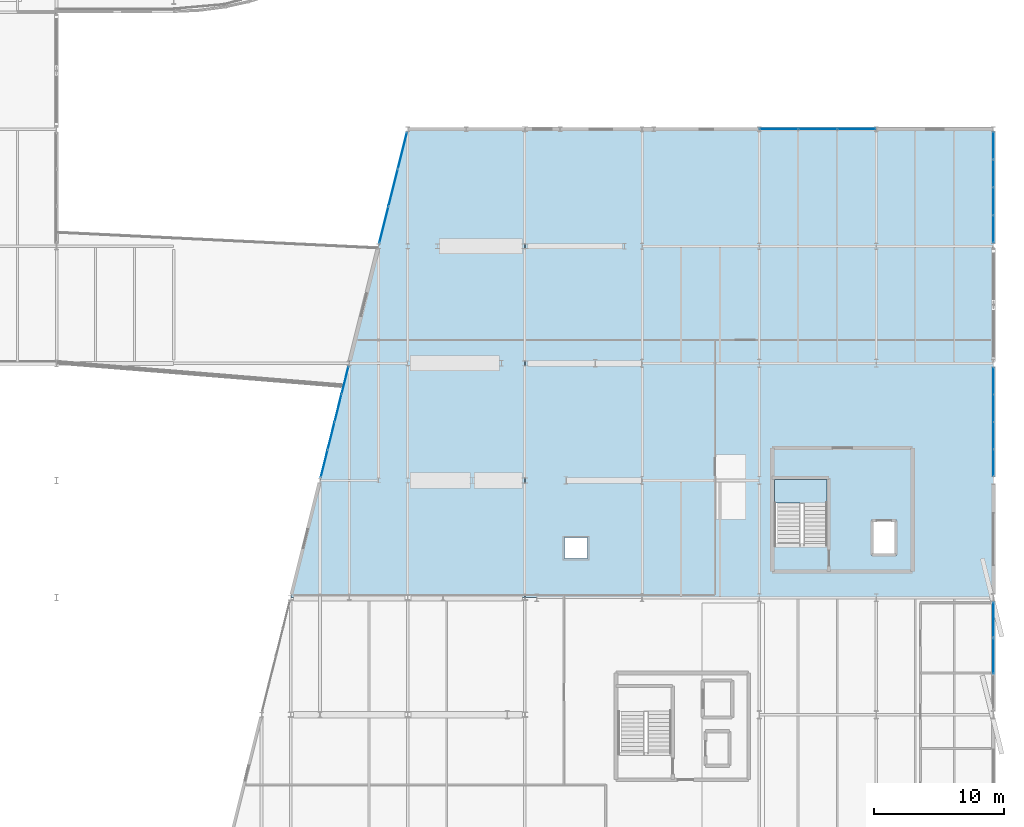
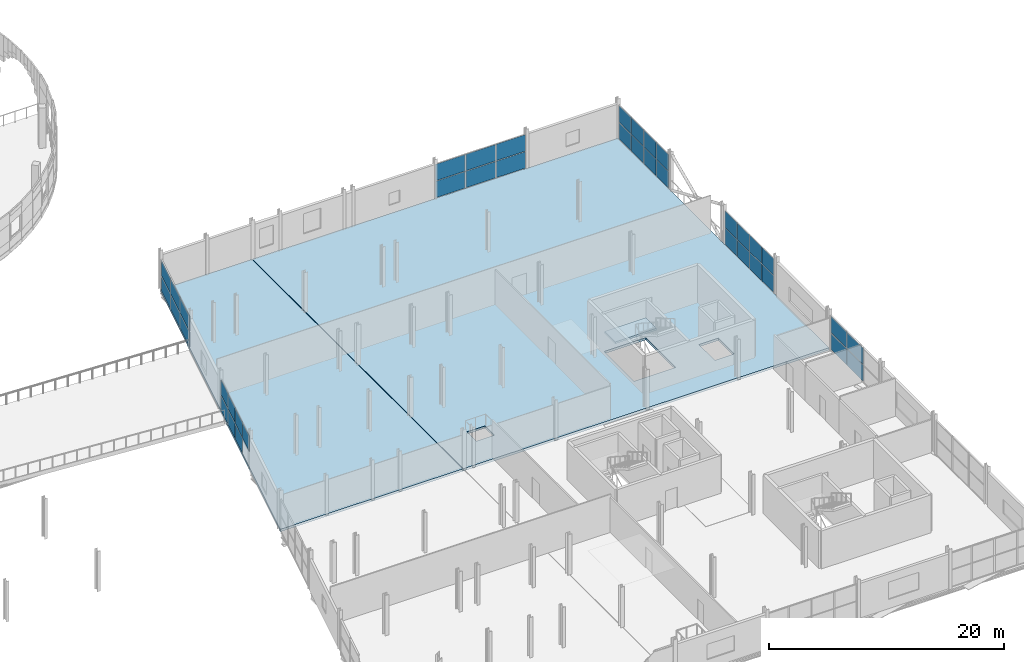
# One storey, part 106 of 135: 39 plates, 3 slabs, 7 elements without a shape of their own.
"""IFC4 building model written with IfcOpenShell, lengths in metres."""

from ifc_helpers import new_model, si_unit, direction, frame, origin, origin_2d, place, context, subcontext, project, spatial, polyline, rectangle, outline, extrude, material, layer, layer_set, type_object, element, aggregate, save


model = new_model("IFC4")

# Units and contexts
model_context = context("Model", 3, precision=1e-05, world=origin(), true_north=direction((0.0, 1.0)))
body_context = subcontext(model_context, "Body", "Model", "MODEL_VIEW")
ifc_project = project(units=[si_unit("LENGTHUNIT", "METRE"), si_unit("AREAUNIT", "SQUARE_METRE"), si_unit("VOLUMEUNIT", "CUBIC_METRE"), si_unit("PLANEANGLEUNIT", "RADIAN"), si_unit("MASSUNIT", "GRAM", prefix="KILO")], contexts=[model_context])

# Site, building, storey
site_placement = place(None, origin())
site = spatial("IfcSite", under=ifc_project, at=site_placement, CompositionType="ELEMENT")
building_placement = place(site_placement, origin())
building = spatial("IfcBuilding", under=site, at=building_placement, Name="Deido Ridge Mobility Hub", CompositionType="ELEMENT")
storey_placement = place(building_placement, frame((0.0, 0.0, 4.199951171875)))
storey = spatial("IfcBuildingStorey", under=building, at=storey_placement, Name="L01", CompositionType="ELEMENT", Elevation=4.199951171875)

# Curtain wall, plates
ifc_material_1 = material(Name="Anodised aluminium EN AW-6063 T6", Category="aluminium")
ifc_layer_1 = layer(ifc_material_1, 0.1650390625, Name="Anodised aluminium EN AW-6063 T6")
ifc_layer_set_1 = layer_set([ifc_layer_1], Name="Anodised aluminium EN AW-6063 T6")
curtain_wall_type_1 = type_object("IfcCurtainWallType", Name="CW-UF-1", PredefinedType="USERDEFINED", material=ifc_layer_set_1)
curtain_wall_1_placement = place(storey_placement, origin())
curtain_wall_1 = element("IfcCurtainWall", 1, at=curtain_wall_1_placement, inside=storey, type_object=curtain_wall_type_1, Name="Unitised curtain wall CW1", ObjectType="UNITISED FACADE", PredefinedType="USERDEFINED")
ifc_material_2 = material(Name="Laminated solar-control low-E glass", Category="glass")
ifc_layer_2 = layer(ifc_material_2, 0.02587890625, Name="Laminated solar-control low-E glass")
ifc_layer_set_2 = layer_set([ifc_layer_2], Name="Laminated solar-control low-E glass")
plate_type_1 = type_object("IfcPlateType", Name="PLT-CWP-26", PredefinedType="CURTAIN_PANEL", material=ifc_layer_set_2)
plate_1_placement = place(storey_placement, frame((180.0, 46.362548828125, 0.050048828125), z_axis=(0.0, 0.0, 1.0), x_axis=(0.0, 1.0, 0.0)))
plate_1 = element("IfcPlate", 2, at=plate_1_placement, type_object=plate_type_1, Name="CW1 panel 1.1", PredefinedType="CURTAIN_PANEL", context=body_context, shape_type="SweptSolid", body=[
    extrude(rectangle(XDim=2.02490234375, YDim=0.02587890625, at=origin_2d()), origin(), (0.0, 0.0, 1.0), 1.72509765625),
])
plate_2_placement = place(storey_placement, frame((180.0, 46.362548828125, 1.824951171875), z_axis=(0.0, 0.0, 1.0), x_axis=(0.0, 1.0, 0.0)))
plate_2 = element("IfcPlate", 3, at=plate_2_placement, type_object=plate_type_1, Name="CW1 panel 1.2", PredefinedType="CURTAIN_PANEL", context=body_context, shape_type="SweptSolid", body=[
    extrude(rectangle(XDim=2.02490234375, YDim=0.02587890625, at=origin_2d()), origin(), (0.0, 0.0, 1.0), 1.72509765625),
])
plate_3_placement = place(storey_placement, frame((180.0, 48.449951171875, 0.050048828125), z_axis=(0.0, 0.0, 1.0), x_axis=(0.0, 1.0, 0.0)))
plate_3 = element("IfcPlate", 4, at=plate_3_placement, type_object=plate_type_1, Name="CW1 panel 2.1", PredefinedType="CURTAIN_PANEL", context=body_context, shape_type="SweptSolid", body=[
    extrude(rectangle(XDim=2.050048828125, YDim=0.02587890625, at=origin_2d()), origin(), (0.0, 0.0, 1.0), 1.72509765625),
])
plate_4_placement = place(storey_placement, frame((180.0, 48.449951171875, 1.824951171875), z_axis=(0.0, 0.0, 1.0), x_axis=(0.0, 1.0, 0.0)))
plate_4 = element("IfcPlate", 5, at=plate_4_placement, type_object=plate_type_1, Name="CW1 panel 2.2", PredefinedType="CURTAIN_PANEL", context=body_context, shape_type="SweptSolid", body=[
    extrude(rectangle(XDim=2.050048828125, YDim=0.02587890625, at=origin_2d()), origin(), (0.0, 0.0, 1.0), 1.72509765625),
])
plate_5_placement = place(storey_placement, frame((180.0, 50.550048828125, 0.050048828125), z_axis=(0.0, 0.0, 1.0), x_axis=(0.0, 1.0, 0.0)))
plate_5 = element("IfcPlate", 6, at=plate_5_placement, type_object=plate_type_1, Name="CW1 panel 3.1", PredefinedType="CURTAIN_PANEL", context=body_context, shape_type="SweptSolid", body=[
    extrude(rectangle(XDim=2.050048828125, YDim=0.02587890625, at=origin_2d()), origin(), (0.0, 0.0, 1.0), 1.72509765625),
])
plate_6_placement = place(storey_placement, frame((180.0, 50.550048828125, 1.824951171875), z_axis=(0.0, 0.0, 1.0), x_axis=(0.0, 1.0, 0.0)))
plate_6 = element("IfcPlate", 7, at=plate_6_placement, type_object=plate_type_1, Name="CW1 panel 3.2", PredefinedType="CURTAIN_PANEL", context=body_context, shape_type="SweptSolid", body=[
    extrude(rectangle(XDim=2.050048828125, YDim=0.02587890625, at=origin_2d()), origin(), (0.0, 0.0, 1.0), 1.72509765625),
])
plate_7_placement = place(storey_placement, frame((180.0, 52.637451171875, 0.050048828125), z_axis=(0.0, 0.0, 1.0), x_axis=(0.0, 1.0, 0.0)))
plate_7 = element("IfcPlate", 8, at=plate_7_placement, type_object=plate_type_1, Name="CW1 panel 4.1", PredefinedType="CURTAIN_PANEL", context=body_context, shape_type="SweptSolid", body=[
    extrude(rectangle(XDim=2.02490234375, YDim=0.02587890625, at=origin_2d()), origin(), (0.0, 0.0, 1.0), 1.72509765625),
])
plate_8_placement = place(storey_placement, frame((180.0, 52.637451171875, 1.824951171875), z_axis=(0.0, 0.0, 1.0), x_axis=(0.0, 1.0, 0.0)))
plate_8 = element("IfcPlate", 9, at=plate_8_placement, type_object=plate_type_1, Name="CW1 panel 4.2", PredefinedType="CURTAIN_PANEL", context=body_context, shape_type="SweptSolid", body=[
    extrude(rectangle(XDim=2.02490234375, YDim=0.02587890625, at=origin_2d()), origin(), (0.0, 0.0, 1.0), 1.72509765625),
])
aggregate(curtain_wall_1, [plate_1, plate_2, plate_3, plate_4, plate_5, plate_6, plate_7, plate_8])

ifc_layer_3 = layer(ifc_material_1, 0.195068359375, Name="Anodised aluminium EN AW-6063 T6")
ifc_layer_set_3 = layer_set([ifc_layer_3], Name="Anodised aluminium EN AW-6063 T6")
curtain_wall_type_2 = type_object("IfcCurtainWallType", Name="CW-UF-3", PredefinedType="USERDEFINED", material=ifc_layer_set_3)
curtain_wall_2_placement = place(storey_placement, origin())
curtain_wall_2 = element("IfcCurtainWall", 10, at=curtain_wall_2_placement, inside=storey, type_object=curtain_wall_type_2, Name="Unitised curtain wall CW3", ObjectType="UNITISED FACADE", PredefinedType="USERDEFINED")
ifc_layer_4 = layer(ifc_material_2, 0.031005859375, Name="Laminated solar-control low-E glass")
ifc_layer_set_4 = layer_set([ifc_layer_4], Name="Laminated solar-control low-E glass")
plate_type_2 = type_object("IfcPlateType", Name="PLT-CWP-31", PredefinedType="CURTAIN_PANEL", material=ifc_layer_set_4)
plate_9_placement = place(storey_placement, frame((180.0, 64.314453125, 0.06005859375), z_axis=(0.0, 0.0, 1.0), x_axis=(0.0, 1.0, 0.0)))
plate_9 = element("IfcPlate", 11, at=plate_9_placement, type_object=plate_type_2, Name="CW3 panel 1.1", PredefinedType="CURTAIN_PANEL", context=body_context, shape_type="SweptSolid", body=[
    extrude(rectangle(XDim=2.058837890625, YDim=0.031005859375, at=origin_2d()), origin(), (0.0, 0.0, 1.0), 1.7099609375),
])
plate_10_placement = place(storey_placement, frame((180.0, 64.314453125, 1.830078125), z_axis=(0.0, 0.0, 1.0), x_axis=(0.0, 1.0, 0.0)))
plate_10 = element("IfcPlate", 12, at=plate_10_placement, type_object=plate_type_2, Name="CW3 panel 1.2", PredefinedType="CURTAIN_PANEL", context=body_context, shape_type="SweptSolid", body=[
    extrude(rectangle(XDim=2.058837890625, YDim=0.031005859375, at=origin_2d()), origin(), (0.0, 0.0, 1.0), 1.7099609375),
])
plate_11_placement = place(storey_placement, frame((180.0, 66.4482421875, 0.06005859375), z_axis=(0.0, 0.0, 1.0), x_axis=(0.0, 1.0, 0.0)))
plate_11 = element("IfcPlate", 13, at=plate_11_placement, type_object=plate_type_2, Name="CW3 panel 2.1", PredefinedType="CURTAIN_PANEL", context=body_context, shape_type="SweptSolid", body=[
    extrude(rectangle(XDim=2.0888671875, YDim=0.031005859375, at=origin_2d()), origin(), (0.0, 0.0, 1.0), 1.7099609375),
])
plate_12_placement = place(storey_placement, frame((180.0, 66.4482421875, 1.830078125), z_axis=(0.0, 0.0, 1.0), x_axis=(0.0, 1.0, 0.0)))
plate_12 = element("IfcPlate", 14, at=plate_12_placement, type_object=plate_type_2, Name="CW3 panel 2.2", PredefinedType="CURTAIN_PANEL", context=body_context, shape_type="SweptSolid", body=[
    extrude(rectangle(XDim=2.0888671875, YDim=0.031005859375, at=origin_2d()), origin(), (0.0, 0.0, 1.0), 1.7099609375),
])
plate_13_placement = place(storey_placement, frame((180.0, 68.596923828125, 0.06005859375), z_axis=(0.0, 0.0, 1.0), x_axis=(0.0, 1.0, 0.0)))
plate_13 = element("IfcPlate", 15, at=plate_13_placement, type_object=plate_type_2, Name="CW3 panel 3.1", PredefinedType="CURTAIN_PANEL", context=body_context, shape_type="SweptSolid", body=[
    extrude(rectangle(XDim=2.0888671875, YDim=0.031005859375, at=origin_2d()), origin(), (0.0, 0.0, 1.0), 1.7099609375),
])
plate_14_placement = place(storey_placement, frame((180.0, 68.596923828125, 1.830078125), z_axis=(0.0, 0.0, 1.0), x_axis=(0.0, 1.0, 0.0)))
plate_14 = element("IfcPlate", 16, at=plate_14_placement, type_object=plate_type_2, Name="CW3 panel 3.2", PredefinedType="CURTAIN_PANEL", context=body_context, shape_type="SweptSolid", body=[
    extrude(rectangle(XDim=2.0888671875, YDim=0.031005859375, at=origin_2d()), origin(), (0.0, 0.0, 1.0), 1.7099609375),
])
plate_15_placement = place(storey_placement, frame((180.0, 70.730712890625, 0.06005859375), z_axis=(0.0, 0.0, 1.0), x_axis=(0.0, 1.0, 0.0)))
plate_15 = element("IfcPlate", 17, at=plate_15_placement, type_object=plate_type_2, Name="CW3 panel 4.1", PredefinedType="CURTAIN_PANEL", context=body_context, shape_type="SweptSolid", body=[
    extrude(rectangle(XDim=2.058837890625, YDim=0.031005859375, at=origin_2d()), origin(), (0.0, 0.0, 1.0), 1.7099609375),
])
plate_16_placement = place(storey_placement, frame((180.0, 70.730712890625, 1.830078125), z_axis=(0.0, 0.0, 1.0), x_axis=(0.0, 1.0, 0.0)))
plate_16 = element("IfcPlate", 18, at=plate_16_placement, type_object=plate_type_2, Name="CW3 panel 4.2", PredefinedType="CURTAIN_PANEL", context=body_context, shape_type="SweptSolid", body=[
    extrude(rectangle(XDim=2.058837890625, YDim=0.031005859375, at=origin_2d()), origin(), (0.0, 0.0, 1.0), 1.7099609375),
])
aggregate(curtain_wall_2, [plate_9, plate_10, plate_11, plate_12, plate_13, plate_14, plate_15, plate_16])

ifc_layer_5 = layer(ifc_material_1, 0.16796875, Name="Anodised aluminium EN AW-6063 T6")
ifc_layer_set_5 = layer_set([ifc_layer_5], Name="Anodised aluminium EN AW-6063 T6")
curtain_wall_type_3 = type_object("IfcCurtainWallType", Name="CW-GS-4", PredefinedType="USERDEFINED", material=ifc_layer_set_5)
curtain_wall_3_placement = place(storey_placement, origin())
curtain_wall_3 = element("IfcCurtainWall", 19, at=curtain_wall_3_placement, inside=storey, type_object=curtain_wall_type_3, Name="Unitised curtain wall GS4", ObjectType="GLAZED SCREEN", PredefinedType="USERDEFINED")
plate_17_placement = place(storey_placement, frame((163.51904296875, 72.0, 0.06005859375), z_axis=(0.0, 0.0, 1.0), x_axis=(1.0, 0.0, 0.0)))
plate_17 = element("IfcPlate", 20, at=plate_17_placement, type_object=plate_type_2, Name="GS4 panel 1.1", PredefinedType="CURTAIN_PANEL", context=body_context, shape_type="SweptSolid", body=[
    extrude(rectangle(XDim=2.90576171875, YDim=0.031005859375, at=origin_2d()), origin(), (0.0, 0.0, 1.0), 1.7099609375),
])
plate_18_placement = place(storey_placement, frame((163.51904296875, 72.0, 1.830078125), z_axis=(0.0, 0.0, 1.0), x_axis=(1.0, 0.0, 0.0)))
plate_18 = element("IfcPlate", 21, at=plate_18_placement, type_object=plate_type_2, Name="GS4 panel 1.2", PredefinedType="CURTAIN_PANEL", context=body_context, shape_type="SweptSolid", body=[
    extrude(rectangle(XDim=2.90576171875, YDim=0.031005859375, at=origin_2d()), origin(), (0.0, 0.0, 1.0), 1.7099609375),
])
plate_19_placement = place(storey_placement, frame((166.5, 72.0, 0.06005859375), z_axis=(0.0, 0.0, 1.0), x_axis=(1.0, 0.0, 0.0)))
plate_19 = element("IfcPlate", 22, at=plate_19_placement, type_object=plate_type_2, Name="GS4 panel 2.1", PredefinedType="CURTAIN_PANEL", context=body_context, shape_type="SweptSolid", body=[
    extrude(rectangle(XDim=2.935791015625, YDim=0.031005859375, at=origin_2d()), origin(), (0.0, 0.0, 1.0), 1.7099609375),
])
plate_20_placement = place(storey_placement, frame((166.5, 72.0, 1.830078125), z_axis=(0.0, 0.0, 1.0), x_axis=(1.0, 0.0, 0.0)))
plate_20 = element("IfcPlate", 23, at=plate_20_placement, type_object=plate_type_2, Name="GS4 panel 2.2", PredefinedType="CURTAIN_PANEL", context=body_context, shape_type="SweptSolid", body=[
    extrude(rectangle(XDim=2.935791015625, YDim=0.031005859375, at=origin_2d()), origin(), (0.0, 0.0, 1.0), 1.7099609375),
])
plate_21_placement = place(storey_placement, frame((169.48095703125, 72.0, 0.06005859375), z_axis=(0.0, 0.0, 1.0), x_axis=(1.0, 0.0, 0.0)))
plate_21 = element("IfcPlate", 24, at=plate_21_placement, type_object=plate_type_2, Name="GS4 panel 3.1", PredefinedType="CURTAIN_PANEL", context=body_context, shape_type="SweptSolid", body=[
    extrude(rectangle(XDim=2.90576171875, YDim=0.031005859375, at=origin_2d()), origin(), (0.0, 0.0, 1.0), 1.7099609375),
])
plate_22_placement = place(storey_placement, frame((169.48095703125, 72.0, 1.830078125), z_axis=(0.0, 0.0, 1.0), x_axis=(1.0, 0.0, 0.0)))
plate_22 = element("IfcPlate", 25, at=plate_22_placement, type_object=plate_type_2, Name="GS4 panel 3.2", PredefinedType="CURTAIN_PANEL", context=body_context, shape_type="SweptSolid", body=[
    extrude(rectangle(XDim=2.90576171875, YDim=0.031005859375, at=origin_2d()), origin(), (0.0, 0.0, 1.0), 1.7099609375),
])
aggregate(curtain_wall_3, [plate_17, plate_18, plate_19, plate_20, plate_21, plate_22])

ifc_layer_6 = layer(ifc_material_1, 0.2099609375, Name="Anodised aluminium EN AW-6063 T6")
ifc_layer_set_6 = layer_set([ifc_layer_6], Name="Anodised aluminium EN AW-6063 T6")
curtain_wall_type_4 = type_object("IfcCurtainWallType", Name="CW-UF-4", PredefinedType="USERDEFINED", material=ifc_layer_set_6)
curtain_wall_4_placement = place(storey_placement, origin())
curtain_wall_4 = element("IfcCurtainWall", 26, at=curtain_wall_4_placement, inside=storey, type_object=curtain_wall_type_4, Name="Unitised curtain wall CW4", ObjectType="UNITISED FACADE", PredefinedType="USERDEFINED")
plate_23_placement = place(storey_placement, frame((128.5732421875, 46.29296875, 1.68994140625), z_axis=(0.0, 0.0, 1.0), x_axis=(0.242530310632, 0.970143828731, 0.0)))
plate_23 = element("IfcPlate", 27, at=plate_23_placement, type_object=plate_type_2, Name="CW4 panel 1.2", PredefinedType="CURTAIN_PANEL", context=body_context, shape_type="SweptSolid", body=[
    extrude(rectangle(XDim=2.123779296875, YDim=0.031005859375, at=origin_2d()), origin(), (0.0, 0.0, 1.0), 1.570068359375),
])
plate_24_placement = place(storey_placement, frame((129.1064453125, 48.42626953125, 0.06005859375), z_axis=(0.0, 0.0, 1.0), x_axis=(0.242530310632, 0.970143828731, 0.0)))
plate_24 = element("IfcPlate", 28, at=plate_24_placement, type_object=plate_type_2, Name="CW4 panel 2.1", PredefinedType="CURTAIN_PANEL", context=body_context, shape_type="SweptSolid", body=[
    extrude(rectangle(XDim=2.15380859375, YDim=0.031005859375, at=origin_2d()), origin(), (0.0, 0.0, 1.0), 1.570068359375),
])
plate_25_placement = place(storey_placement, frame((129.1064453125, 48.42626953125, 1.68994140625), z_axis=(0.0, 0.0, 1.0), x_axis=(0.242530310632, 0.970143828731, 0.0)))
plate_25 = element("IfcPlate", 29, at=plate_25_placement, type_object=plate_type_2, Name="CW4 panel 2.2", PredefinedType="CURTAIN_PANEL", context=body_context, shape_type="SweptSolid", body=[
    extrude(rectangle(XDim=2.15380859375, YDim=0.031005859375, at=origin_2d()), origin(), (0.0, 0.0, 1.0), 1.570068359375),
])
plate_26_placement = place(storey_placement, frame((129.6435546875, 50.57373046875, 0.06005859375), z_axis=(0.0, 0.0, 1.0), x_axis=(0.242530310632, 0.970143828731, 0.0)))
plate_26 = element("IfcPlate", 30, at=plate_26_placement, type_object=plate_type_2, Name="CW4 panel 3.1", PredefinedType="CURTAIN_PANEL", context=body_context, shape_type="SweptSolid", body=[
    extrude(rectangle(XDim=2.15380859375, YDim=0.031005859375, at=origin_2d()), origin(), (0.0, 0.0, 1.0), 1.570068359375),
])
plate_27_placement = place(storey_placement, frame((129.6435546875, 50.57373046875, 1.68994140625), z_axis=(0.0, 0.0, 1.0), x_axis=(0.242530310632, 0.970143828731, 0.0)))
plate_27 = element("IfcPlate", 31, at=plate_27_placement, type_object=plate_type_2, Name="CW4 panel 3.2", PredefinedType="CURTAIN_PANEL", context=body_context, shape_type="SweptSolid", body=[
    extrude(rectangle(XDim=2.15380859375, YDim=0.031005859375, at=origin_2d()), origin(), (0.0, 0.0, 1.0), 1.570068359375),
])
plate_28_placement = place(storey_placement, frame((130.1767578125, 52.70703125, 0.06005859375), z_axis=(0.0, 0.0, 1.0), x_axis=(0.242530310632, 0.970143828731, 0.0)))
plate_28 = element("IfcPlate", 32, at=plate_28_placement, type_object=plate_type_2, Name="CW4 panel 4.1", PredefinedType="CURTAIN_PANEL", context=body_context, shape_type="SweptSolid", body=[
    extrude(rectangle(XDim=2.123779296875, YDim=0.031005859375, at=origin_2d()), origin(), (0.0, 0.0, 1.0), 1.570068359375),
])
plate_29_placement = place(storey_placement, frame((130.1767578125, 52.70703125, 1.68994140625), z_axis=(0.0, 0.0, 1.0), x_axis=(0.242530310632, 0.970143828731, 0.0)))
plate_29 = element("IfcPlate", 33, at=plate_29_placement, type_object=plate_type_2, Name="CW4 panel 4.2", PredefinedType="CURTAIN_PANEL", context=body_context, shape_type="SweptSolid", body=[
    extrude(rectangle(XDim=2.123779296875, YDim=0.031005859375, at=origin_2d()), origin(), (0.0, 0.0, 1.0), 1.570068359375),
])
aggregate(curtain_wall_4, [plate_23, plate_24, plate_25, plate_26, plate_27, plate_28, plate_29])

ifc_layer_7 = layer(ifc_material_1, 0.239990234375, Name="Anodised aluminium EN AW-6063 T6")
ifc_layer_set_7 = layer_set([ifc_layer_7], Name="Anodised aluminium EN AW-6063 T6")
curtain_wall_type_5 = type_object("IfcCurtainWallType", Name="CW-UF-6", PredefinedType="USERDEFINED", material=ifc_layer_set_7)
curtain_wall_5_placement = place(storey_placement, origin())
curtain_wall_5 = element("IfcCurtainWall", 34, at=curtain_wall_5_placement, inside=storey, type_object=curtain_wall_type_5, Name="Unitised curtain wall CW6", ObjectType="UNITISED FACADE", PredefinedType="USERDEFINED")
ifc_layer_8 = layer(ifc_material_2, 0.034912109375, Name="Laminated solar-control low-E glass")
ifc_layer_set_8 = layer_set([ifc_layer_8], Name="Laminated solar-control low-E glass")
plate_type_3 = type_object("IfcPlateType", Name="PLT-CWP-35", PredefinedType="CURTAIN_PANEL", material=ifc_layer_set_8)
plate_30_placement = place(storey_placement, frame((133.163330078125, 64.653564453125, 0.0703125), z_axis=(0.0, 0.0, 1.0), x_axis=(0.242530310632, 0.970143828731, 0.0)))
plate_30 = element("IfcPlate", 35, at=plate_30_placement, type_object=plate_type_3, Name="CW6 panel 1.1", PredefinedType="CURTAIN_PANEL", context=body_context, shape_type="SweptSolid", body=[
    extrude(rectangle(XDim=2.8466796875, YDim=0.034912109375, at=origin_2d()), origin(), (0.0, 0.0, 1.0), 1.554931640625),
])
plate_31_placement = place(storey_placement, frame((133.163330078125, 64.653564453125, 1.6953125), z_axis=(0.0, 0.0, 1.0), x_axis=(0.242530310632, 0.970143828731, 0.0)))
plate_31 = element("IfcPlate", 36, at=plate_31_placement, type_object=plate_type_3, Name="CW6 panel 1.2", PredefinedType="CURTAIN_PANEL", context=body_context, shape_type="SweptSolid", body=[
    extrude(rectangle(XDim=2.8466796875, YDim=0.034912109375, at=origin_2d()), origin(), (0.0, 0.0, 1.0), 1.554931640625),
])
plate_32_placement = place(storey_placement, frame((133.875, 67.5, 0.0703125), z_axis=(0.0, 0.0, 1.0), x_axis=(0.242530310632, 0.970143828731, 0.0)))
plate_32 = element("IfcPlate", 37, at=plate_32_placement, type_object=plate_type_3, Name="CW6 panel 2.1", PredefinedType="CURTAIN_PANEL", context=body_context, shape_type="SweptSolid", body=[
    extrude(rectangle(XDim=2.881591796875, YDim=0.034912109375, at=origin_2d()), origin(), (0.0, 0.0, 1.0), 1.554931640625),
])
plate_33_placement = place(storey_placement, frame((133.875, 67.5, 1.6953125), z_axis=(0.0, 0.0, 1.0), x_axis=(0.242530310632, 0.970143828731, 0.0)))
plate_33 = element("IfcPlate", 38, at=plate_33_placement, type_object=plate_type_3, Name="CW6 panel 2.2", PredefinedType="CURTAIN_PANEL", context=body_context, shape_type="SweptSolid", body=[
    extrude(rectangle(XDim=2.881591796875, YDim=0.034912109375, at=origin_2d()), origin(), (0.0, 0.0, 1.0), 1.554931640625),
])
plate_34_placement = place(storey_placement, frame((134.586669921875, 70.346435546875, 0.0703125), z_axis=(0.0, 0.0, 1.0), x_axis=(0.242530310632, 0.970143828731, 0.0)))
plate_34 = element("IfcPlate", 39, at=plate_34_placement, type_object=plate_type_3, Name="CW6 panel 3.1", PredefinedType="CURTAIN_PANEL", context=body_context, shape_type="SweptSolid", body=[
    extrude(rectangle(XDim=2.8466796875, YDim=0.034912109375, at=origin_2d()), origin(), (0.0, 0.0, 1.0), 1.554931640625),
])
plate_35_placement = place(storey_placement, frame((134.586669921875, 70.346435546875, 1.6953125), z_axis=(0.0, 0.0, 1.0), x_axis=(0.242530310632, 0.970143828731, 0.0)))
plate_35 = element("IfcPlate", 40, at=plate_35_placement, type_object=plate_type_3, Name="CW6 panel 3.2", PredefinedType="CURTAIN_PANEL", context=body_context, shape_type="SweptSolid", body=[
    extrude(rectangle(XDim=2.8466796875, YDim=0.034912109375, at=origin_2d()), origin(), (0.0, 0.0, 1.0), 1.554931640625),
])
aggregate(curtain_wall_5, [plate_30, plate_31, plate_32, plate_33, plate_34, plate_35])

ifc_layer_9 = layer(ifc_material_1, 0.2548828125, Name="Anodised aluminium EN AW-6063 T6")
ifc_layer_set_9 = layer_set([ifc_layer_9], Name="Anodised aluminium EN AW-6063 T6")
curtain_wall_type_6 = type_object("IfcCurtainWallType", Name="CW-UF-7", PredefinedType="USERDEFINED", material=ifc_layer_set_9)
curtain_wall_6_placement = place(storey_placement, origin())
curtain_wall_6 = element("IfcCurtainWall", 41, at=curtain_wall_6_placement, inside=storey, type_object=curtain_wall_type_6, Name="Unitised curtain wall CW7", ObjectType="UNITISED FACADE", PredefinedType="USERDEFINED")
ifc_layer_10 = layer(ifc_material_2, 0.0390625, Name="Laminated solar-control low-E glass")
ifc_layer_set_10 = layer_set([ifc_layer_10], Name="Laminated solar-control low-E glass")
plate_type_4 = type_object("IfcPlateType", Name="PLT-CWP-39", PredefinedType="CURTAIN_PANEL", material=ifc_layer_set_10)
plate_36_placement = place(storey_placement, frame((180.0, 31.5, 0.080078125), z_axis=(0.0, 0.0, 1.0), x_axis=(0.0, 1.0, 0.0)))
plate_36 = element("IfcPlate", 42, at=plate_36_placement, type_object=plate_type_4, Name="CW7 panel 2.1", PredefinedType="CURTAIN_PANEL", context=body_context, shape_type="SweptSolid", body=[
    extrude(rectangle(XDim=2.719970703125, YDim=0.0390625, at=origin_2d()), origin(), (0.0, 0.0, 1.0), 1.679931640625),
])
plate_37_placement = place(storey_placement, frame((180.0, 31.5, 1.83984375), z_axis=(0.0, 0.0, 1.0), x_axis=(0.0, 1.0, 0.0)))
plate_37 = element("IfcPlate", 43, at=plate_37_placement, type_object=plate_type_4, Name="CW7 panel 2.2", PredefinedType="CURTAIN_PANEL", context=body_context, shape_type="SweptSolid", body=[
    extrude(rectangle(XDim=2.719970703125, YDim=0.0390625, at=origin_2d()), origin(), (0.0, 0.0, 1.0), 1.679931640625),
])
plate_38_placement = place(storey_placement, frame((180.0, 34.280029296875, 0.080078125), z_axis=(0.0, 0.0, 1.0), x_axis=(0.0, 1.0, 0.0)))
plate_38 = element("IfcPlate", 44, at=plate_38_placement, type_object=plate_type_4, Name="CW7 panel 3.1", PredefinedType="CURTAIN_PANEL", context=body_context, shape_type="SweptSolid", body=[
    extrude(rectangle(XDim=2.679931640625, YDim=0.0390625, at=origin_2d()), origin(), (0.0, 0.0, 1.0), 1.679931640625),
])
plate_39_placement = place(storey_placement, frame((180.0, 34.280029296875, 1.83984375), z_axis=(0.0, 0.0, 1.0), x_axis=(0.0, 1.0, 0.0)))
plate_39 = element("IfcPlate", 45, at=plate_39_placement, type_object=plate_type_4, Name="CW7 panel 3.2", PredefinedType="CURTAIN_PANEL", context=body_context, shape_type="SweptSolid", body=[
    extrude(rectangle(XDim=2.679931640625, YDim=0.0390625, at=origin_2d()), origin(), (0.0, 0.0, 1.0), 1.679931640625),
])
aggregate(curtain_wall_6, [plate_36, plate_37, plate_38, plate_39])

# Slabs
ifc_material_3 = material(Name="Concrete C35/45", Category="concrete")
ifc_layer_11 = layer(ifc_material_3, 0.25, Name="Concrete C35/45")
ifc_layer_set_11 = layer_set([ifc_layer_11], Name="Concrete C35/45")
slab_type_1 = type_object("IfcSlabType", Name="SLB-FLR-250", PredefinedType="FLOOR", material=ifc_layer_set_11)
slab_1_placement = place(storey_placement, frame((0.0, 0.0, -0.25)))
element("IfcSlab", 46, at=slab_1_placement, inside=storey, type_object=slab_type_1, Name="L01 V6 structural deck 33", PredefinedType="FLOOR", context=body_context, shape_type="SweptSolid", body=[
    extrude(outline(polyline([(143.97509765625, 72.0), (143.97509765625, 36.0), (126.0, 36.0), (135.0, 72.0), (143.97509765625, 72.0)])), origin(), (0.0, 0.0, 1.0), 0.25),
])
slab_2_placement = place(storey_placement, frame((0.0, 0.0, -0.25)))
element("IfcSlab", 47, at=slab_2_placement, inside=storey, type_object=slab_type_1, Name="L01 V6 structural deck 34", PredefinedType="FLOOR", context=body_context, shape_type="SweptSolid", body=[
    extrude(outline(polyline([(180.0, 72.0), (180.0, 36.0), (144.02490234375, 36.0), (144.02490234375, 72.0), (180.0, 72.0)]), holes=[polyline([(147.02490234375, 39.0), (147.02490234375, 40.60009765625), (148.824951171875, 40.60009765625), (148.824951171875, 39.0), (147.02490234375, 39.0)]), polyline([(170.64990234375, 39.25), (170.64990234375, 41.949951171875), (172.550048828125, 41.949951171875), (172.550048828125, 39.25), (170.64990234375, 39.25)]), polyline([(163.139892578125, 45.10009765625), (167.239990234375, 45.10009765625), (167.239990234375, 40.0), (163.139892578125, 40.0), (163.139892578125, 45.10009765625)])]), origin(), (0.0, 0.0, 1.0), 0.25),
])

# Stair, slab
stair_type = type_object("IfcStairType", Name="ST-CORE-HALF-1520", PredefinedType="HALF_TURN_STAIR", material=ifc_material_3)
stair_placement = place(storey_placement, origin())
stair = element("IfcStair", 48, at=stair_placement, inside=storey, type_object=stair_type, Name="Protected exit stair ST2 (L01)", PredefinedType="HALF_TURN_STAIR")
ifc_layer_12 = layer(ifc_material_3, 0.199951171875, Name="Concrete C35/45")
ifc_layer_set_12 = layer_set([ifc_layer_12], Name="Concrete C35/45")
slab_type_2 = type_object("IfcSlabType", Name="SLB-STLND-200", PredefinedType="LANDING", material=ifc_layer_set_12)
slab_3_placement = place(storey_placement, frame((0.0, 0.0, 1.900146484375)))
slab_3 = element("IfcSlab", 49, at=slab_3_placement, type_object=slab_type_2, Name="ST2 landing 1", PredefinedType="LANDING", context=body_context, shape_type="SweptSolid", body=[
    extrude(outline(polyline([(163.16259765625, 43.25), (167.235107421875, 43.25), (167.235107421875, 45.074951171875), (163.16259765625, 45.074951171875), (163.16259765625, 43.25)])), origin(), (0.0, 0.0, 1.0), 0.199951171875),
])
aggregate(stair, [slab_3])

save(model, "model.ifc")
